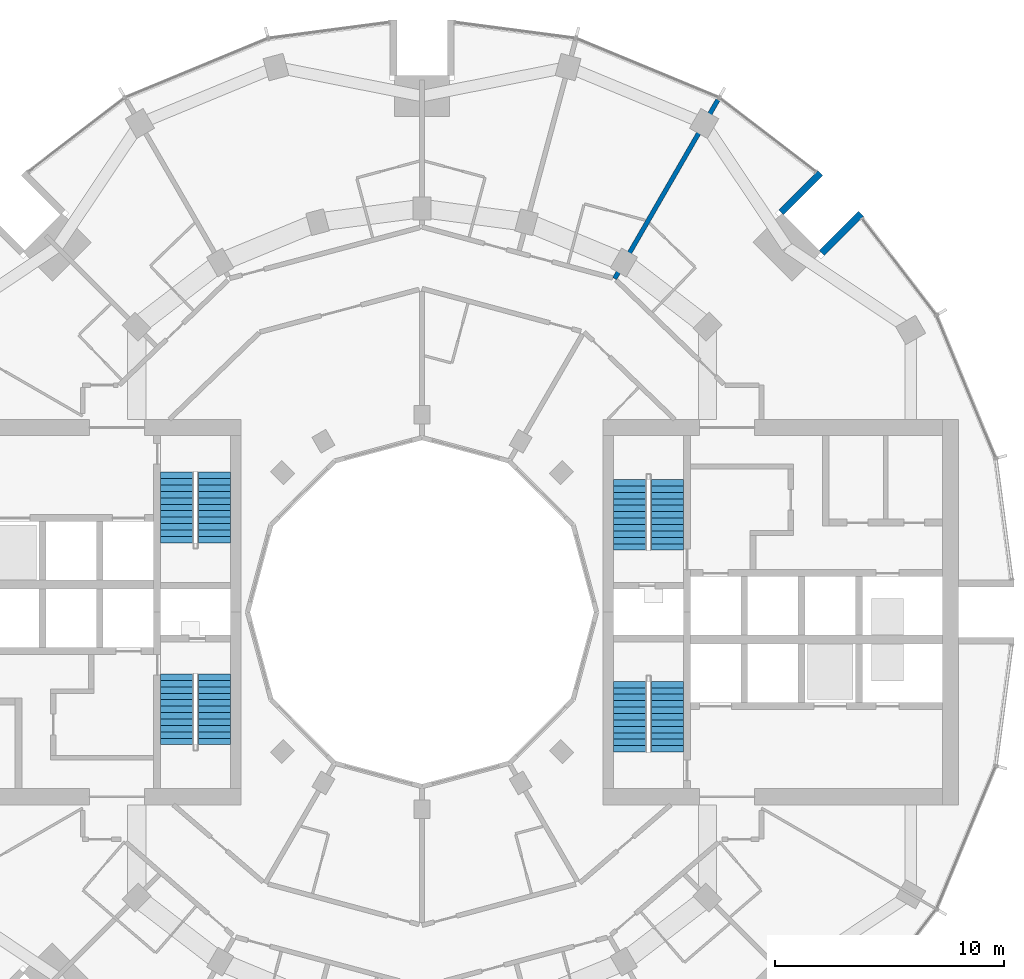
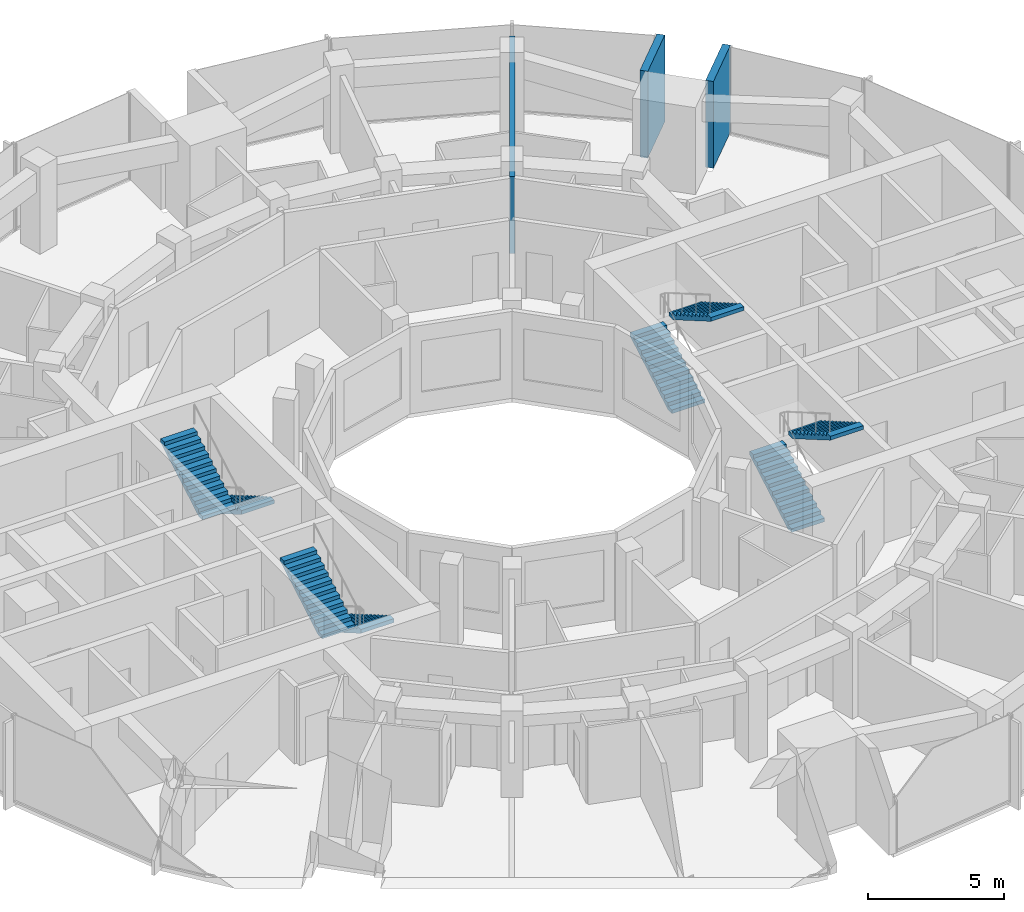
# One storey, part 13 of 15: 8 stair flights, 3 walls, 4 elements without a shape of their own.
"""IFC4 building model written with IfcOpenShell, lengths in metres."""

import ifcopenshell
import ifcopenshell.guid

model = None  # the IFC model being written
_history = None  # IfcOwnerHistory: only IFC2X3 demands one
_inside = {}  # id of a spatial element -> (the spatial element, [elements in it])
_under = {}  # id of a project, library or spatial element -> (it, [spatial elements below it])
_declared = {}  # id of a project -> (the project, [libraries it declares])
_typed = {}  # id of a type object -> (the type object, [elements of that type])
_made_of = {}  # id of a material, layer set ... -> (it, [elements and type objects made of it])


def new_model(schema):
    """Start an empty IFC model of exactly this schema.

    Asked for "IFC4X3", IfcOpenShell would pick the latest addendum, in which some entities
    have other attributes; the version numbers below select the first issue.
    IFC2X3 requires an IfcOwnerHistory on every rooted entity: one is made here for all.
    """
    global model, _history
    if schema == "IFC4X3":
        model = ifcopenshell.file(schema_version=(4, 3, 0, 0))
    else:
        model = ifcopenshell.file(schema=schema)
    _inside.clear()
    _under.clear()
    _declared.clear()
    _typed.clear()
    _made_of.clear()
    _history = None
    if model.schema == "IFC2X3":
        org = make("IfcOrganization", Name="unknown")
        user = make(
            "IfcPersonAndOrganization",
            ThePerson=make("IfcPerson", FamilyName="unknown"),
            TheOrganization=org,
        )
        app = make(
            "IfcApplication",
            ApplicationDeveloper=org,
            Version="unknown",
            ApplicationFullName="unknown",
            ApplicationIdentifier="unknown",
        )
        _history = make(
            "IfcOwnerHistory",
            OwningUser=user,
            OwningApplication=app,
            ChangeAction="ADDED",
            CreationDate=0,
        )
    return model


def make(cls, **values):
    """One entity of the class cls with the attributes given. An attribute that is None is left unset."""
    return model.create_entity(
        cls, **{name: value for name, value in values.items() if value is not None}
    )


def rooted(cls, **values):
    """An entity with a GlobalId (a new one), such as an element, a storey or a relation."""
    return make(cls, GlobalId=ifcopenshell.guid.new(), OwnerHistory=_history, **values)


def si_unit(unit_type, name, prefix=None):
    """IfcSIUnit, for example si_unit("LENGTHUNIT", "METRE", prefix="MILLI")."""
    return make("IfcSIUnit", UnitType=unit_type, Prefix=prefix, Name=name)


def assignment(units):
    """IfcUnitAssignment: the units of a project."""
    return None if units is None else make("IfcUnitAssignment", Units=units)


def point(xyz):
    """IfcCartesianPoint."""
    return None if xyz is None else make("IfcCartesianPoint", Coordinates=xyz)


def direction(xyz):
    """IfcDirection."""
    return None if xyz is None else make("IfcDirection", DirectionRatios=xyz)


def frame(location, z_axis=None, x_axis=None):
    """IfcAxis2Placement3D, a coordinate frame: its origin and axes. An axis left out is left unset."""
    return make(
        "IfcAxis2Placement3D",
        Location=point(location),
        Axis=direction(z_axis),
        RefDirection=direction(x_axis),
    )


def frame_2d(location, x_axis=None):
    """IfcAxis2Placement2D, a coordinate frame in the plane: its origin and x axis."""
    return make(
        "IfcAxis2Placement2D", Location=point(location), RefDirection=direction(x_axis)
    )


def origin():
    """The frame at (0, 0, 0) with its axes left unset."""
    return frame((0.0, 0.0, 0.0))


def place(relative_to, where):
    """IfcLocalPlacement: puts the frame where relative to a parent placement (None: the world)."""
    return make(
        "IfcLocalPlacement", PlacementRelTo=relative_to, RelativePlacement=where
    )


def context(
    kind, dimensions, precision=None, world=None, true_north=None, identifier=None
):
    """IfcGeometricRepresentationContext, for example the 3D "Model" context."""
    return make(
        "IfcGeometricRepresentationContext",
        ContextIdentifier=identifier,
        ContextType=kind,
        CoordinateSpaceDimension=dimensions,
        Precision=precision,
        WorldCoordinateSystem=world,
        TrueNorth=true_north,
    )


def subcontext(parent, identifier, kind, view, scale=None):
    """IfcGeometricRepresentationSubContext, for example "Body" below "Model"."""
    return make(
        "IfcGeometricRepresentationSubContext",
        ContextIdentifier=identifier,
        ContextType=kind,
        ParentContext=parent,
        TargetScale=scale,
        TargetView=view,
    )


def project(units=None, contexts=None):
    """IfcProject with its units and contexts."""
    return rooted(
        "IfcProject",
        Name="project",
        RepresentationContexts=contexts,
        UnitsInContext=assignment(units),
    )


def spatial(cls, under=None, at=None, **own):
    """A site, building, storey or space (cls), placed at a placement, below another one or the project."""
    s = rooted(cls, ObjectPlacement=at, **own)
    if under is not None:
        _under.setdefault(under.id(), (under, []))[1].append(s)
    return s


def polyline(points):
    """IfcPolyline through the points."""
    return make("IfcPolyline", Points=[point(p) for p in points])


def profile(cls, at=None, kind="AREA", **sizes):
    """A parametric profile (cls). Its sizes go by their IFC names, for example OverallWidth=200.0."""
    return make(cls, ProfileType=kind, Position=at, **sizes)


def rectangle(**sizes):
    """IfcRectangleProfileDef."""
    return profile("IfcRectangleProfileDef", **sizes)


def outline(outer, holes=None, kind="AREA"):
    """IfcArbitraryClosedProfileDef: a profile drawn as a closed curve; with holes, ...WithVoids."""
    if holes is None:
        return make("IfcArbitraryClosedProfileDef", ProfileType=kind, OuterCurve=outer)
    return make(
        "IfcArbitraryProfileDefWithVoids",
        ProfileType=kind,
        OuterCurve=outer,
        InnerCurves=holes,
    )


def extrude(swept, where, along, depth):
    """IfcExtrudedAreaSolid: the profile swept, set in the frame where, extruded along a direction by depth."""
    return make(
        "IfcExtrudedAreaSolid",
        SweptArea=swept,
        Position=where,
        ExtrudedDirection=direction(along),
        Depth=depth,
    )


def shape(context_of_items, identifier, shape_type, items):
    """IfcShapeRepresentation: the items that make up one representation, for example the "Body"."""
    return make(
        "IfcShapeRepresentation",
        ContextOfItems=context_of_items,
        RepresentationIdentifier=identifier,
        RepresentationType=shape_type,
        Items=items,
    )


def material(Name=None, Category=None):
    """IfcMaterial."""
    return make("IfcMaterial", Name=Name, Category=Category)


def layer(
    of_material, thickness, ventilated=None, Name=None, Category=None, Priority=None
):
    """IfcMaterialLayer: one layer of a wall or slab, of a material (None: an air gap)."""
    return make(
        "IfcMaterialLayer",
        Material=of_material,
        LayerThickness=thickness,
        IsVentilated=ventilated,
        Name=Name,
        Category=Category,
        Priority=Priority,
    )


def layer_set(layers, Name=None):
    """IfcMaterialLayerSet."""
    return make("IfcMaterialLayerSet", MaterialLayers=layers, LayerSetName=Name)


def made_of(thing, what):
    """Note that an element or type object is made of a material, layer set ...; save() writes the relation."""
    if what is not None:
        _made_of.setdefault(what.id(), (what, []))[1].append(thing)
    return thing


def type_object(cls, material=None, **own):
    """A type object (cls), such as IfcWallType, which elements share."""
    return made_of(rooted(cls, **own), material)


def element(
    cls,
    number,
    at=None,
    inside=None,
    cuts=None,
    type_object=None,
    material=None,
    context=None,
    identifier="Body",
    shape_type=None,
    held_by="IfcProductDefinitionShape",
    body=None,
    shapes=None,
    **own,
):
    """One element of the class cls, such as IfcWall. Its Tag is "e" and its number.

    at: its placement. inside: the storey or other place that contains it. cuts: it is an
    opening in that element (IfcRelVoidsElement). A single representation is given by context,
    identifier, shape_type and body (its items); several are given by shapes. held_by: the class
    of the entity that holds the representations. save() writes the other relations.
    """
    e = rooted(cls, Tag="e%d" % number, ObjectPlacement=at, **own)
    if body is not None:
        shapes = [shape(context, identifier, shape_type, body)]
    if shapes is not None:
        e.Representation = make(held_by, Representations=shapes)
    if inside is not None:
        _inside.setdefault(inside.id(), (inside, []))[1].append(e)
    if cuts is not None:
        rooted(
            "IfcRelVoidsElement", RelatingBuildingElement=cuts, RelatedOpeningElement=e
        )
    if type_object is not None:
        _typed.setdefault(type_object.id(), (type_object, []))[1].append(e)
    return made_of(e, material)


def aggregate(whole, parts):
    """IfcRelAggregates: a whole, such as a stair, and the parts it consists of."""
    return rooted("IfcRelAggregates", RelatingObject=whole, RelatedObjects=parts)


def save(model, path):
    """Write the relations noted so far, then the file.

    IfcRelAggregates (storeys below a building ...), IfcRelContainedInSpatialStructure (elements
    in a storey), IfcRelDefinesByType, IfcRelAssociatesMaterial and IfcRelDeclares: one each for
    every whole, place, type object, material and project.
    """
    for whole, parts in _under.values():
        aggregate(whole, parts)
    for where, things in _inside.values():
        rooted(
            "IfcRelContainedInSpatialStructure",
            RelatedElements=things,
            RelatingStructure=where,
        )
    for kind, things in _typed.values():
        rooted("IfcRelDefinesByType", RelatedObjects=things, RelatingType=kind)
    for what, things in _made_of.values():
        rooted("IfcRelAssociatesMaterial", RelatedObjects=things, RelatingMaterial=what)
    for by, libraries in _declared.values():
        rooted("IfcRelDeclares", RelatingContext=by, RelatedDefinitions=libraries)
    model.write(path)


model = new_model("IFC4")

# Units and contexts
model_context = context("Model", 3, precision=1e-05, world=origin(), true_north=direction((0.0, 1.0)))
body_context = subcontext(model_context, "Body", "Model", "MODEL_VIEW")
ifc_project = project(units=[si_unit("LENGTHUNIT", "METRE"), si_unit("AREAUNIT", "SQUARE_METRE"), si_unit("VOLUMEUNIT", "CUBIC_METRE"), si_unit("PLANEANGLEUNIT", "RADIAN"), si_unit("MASSUNIT", "GRAM", prefix="KILO")], contexts=[model_context])

# Site, building, storey
site_placement = place(None, origin())
site = spatial("IfcSite", under=ifc_project, at=site_placement, CompositionType="ELEMENT")
building_placement = place(site_placement, origin())
building = spatial("IfcBuilding", under=site, at=building_placement, Name="Torre Brocal", CompositionType="ELEMENT")
storey_placement = place(building_placement, frame((0.0, 0.0, 114.60009765625)))
storey = spatial("IfcBuildingStorey", under=building, at=storey_placement, Name="L26", CompositionType="ELEMENT", Elevation=114.60009765625)

# Walls
ifc_material_1 = material(Name="Concrete C70", Category="concrete")
ifc_layer_1 = layer(ifc_material_1, 0.300048828125)
ifc_layer_set_1 = layer_set([ifc_layer_1], Name="Concrete C70")
wall_type_1 = type_object("IfcWallType", Name="NOTCH RETURN WALL 300 C70", PredefinedType="NOTDEFINED", material=ifc_layer_set_1)
for number, where, z_axis, x_axis, name in (
    (1, (97.43017578125, 90.662353515625, 0.0), (0.0, 0.0, 1.0), (0.707106781187, 0.707106781187, 0.0), "NOTCH RETURN WALL"),
    (2, (95.662353515625, 92.43017578125, 0.0), (0.0, 0.0, 1.0), (0.707106781187, 0.707106781187, 0.0), "NOTCH RETURN WALL"),
):
    element("IfcWall", number, at=place(storey_placement, frame(where, z_axis=z_axis, x_axis=x_axis)), inside=storey, type_object=wall_type_1, Name=name, PredefinedType="NOTDEFINED", context=body_context, shape_type="SweptSolid", body=[
        extrude(rectangle(XDim=2.415771484375, YDim=0.300048828125, at=frame_2d((1.2080078125, 0.0))), origin(), (0.0, 0.0, 1.0), 3.89990234375),
    ])
ifc_material_2 = material(Name="Gypsum board", Category="Gypsum")
ifc_layer_2 = layer(ifc_material_2, 0.199951171875)
ifc_layer_set_2 = layer_set([ifc_layer_2], Name="Gypsum board")
wall_type_2 = type_object("IfcWallType", Name="PARTITION 200 EI60", PredefinedType="PARTITIONING", material=ifc_layer_set_2)
wall_placement = place(storey_placement, frame((88.397705078125, 89.539306640625, 0.0), z_axis=(0.0, 0.0, 1.0), x_axis=(0.500217530286, 0.865899776184, 0.0)))
element("IfcWall", 3, at=wall_placement, inside=storey, type_object=wall_type_2, Name="BATHROOM WALL", PredefinedType="PARTITIONING", context=body_context, shape_type="SweptSolid", body=[
    extrude(rectangle(XDim=9.00634765625, YDim=0.199951171875, at=frame_2d((4.503173828125, 0.0))), origin(), (0.0, 0.0, 1.0), 3.449951171875),
])

# Stair, stair flights
ifc_material_3 = material(Name="Concrete C50", Category="concrete")
stair_type = type_object("IfcStairType", Name="EXIT STAIR", PredefinedType="HALF_TURN_STAIR", material=ifc_material_3)
stair_1_placement = place(storey_placement, origin())
stair_1 = element("IfcStair", 4, at=stair_1_placement, inside=storey, type_object=stair_type, Name="EXIT STAIR ST1", PredefinedType="HALF_TURN_STAIR")
ifc_material_4 = material(Name="Concrete C50", Category="concrete")
ifc_layer_3 = layer(ifc_material_4, 0.14990234375)
ifc_layer_set_3 = layer_set([ifc_layer_3], Name="Concrete C50")
stair_flight_type = type_object("IfcStairFlightType", Name="STAIR FLIGHT", PredefinedType="STRAIGHT", material=ifc_layer_set_3)
stair_flight_1_placement = place(storey_placement, frame((89.050048828125, 77.699951171875, 0.0), z_axis=(0.0, 0.0, 1.0), x_axis=(0.0, 1.0, 0.0)))
stair_flight_1 = element("IfcStairFlight", 5, at=stair_flight_1_placement, type_object=stair_flight_type, Name="ST1 flight 1", NumberOfRisers=12, NumberOfTreads=11, PredefinedType="STRAIGHT", RiserHeight=0.1625, TreadLength=0.28, context=body_context, shape_type="SweptSolid", body=[
    extrude(outline(polyline([(0.0, 0.0), (0.0, 0.16259765625), (0.280029296875, 0.16259765625), (0.280029296875, 0.324951171875), (0.56005859375, 0.324951171875), (0.56005859375, 0.487548828125), (0.840087890625, 0.487548828125), (0.840087890625, 0.64990234375), (1.1201171875, 0.64990234375), (1.1201171875, 0.8125), (1.39990234375, 0.8125), (1.39990234375, 0.97509765625), (1.679931640625, 0.97509765625), (1.679931640625, 1.137451171875), (1.9599609375, 1.137451171875), (1.9599609375, 1.300048828125), (2.239990234375, 1.300048828125), (2.239990234375, 1.46240234375), (2.52001953125, 1.46240234375), (2.52001953125, 1.625), (2.800048828125, 1.625), (2.800048828125, 1.78759765625), (3.080078125, 1.78759765625), (3.080078125, 1.949951171875), (3.080078125, 1.6142578125), (0.298583984375, 0.0), (0.0, 0.0)])), frame((0.0, 0.699951171875, 0.0), z_axis=(0.0, -1.0, 0.0), x_axis=(1.0, 0.0, 0.0)), (0.0, 0.0, 1.0), 1.39990234375),
])
stair_flight_2_placement = place(storey_placement, frame((90.699951171875, 80.780029296875, 1.949951171875), z_axis=(0.0, 0.0, 1.0), x_axis=(0.0, -1.0, 0.0)))
stair_flight_2 = element("IfcStairFlight", 6, at=stair_flight_2_placement, type_object=stair_flight_type, Name="ST1 flight 2", NumberOfRisers=12, NumberOfTreads=11, PredefinedType="STRAIGHT", RiserHeight=0.1625, TreadLength=0.28, context=body_context, shape_type="SweptSolid", body=[
    extrude(outline(polyline([(0.0, 0.0), (0.0, 0.16259765625), (0.280029296875, 0.16259765625), (0.280029296875, 0.324951171875), (0.56005859375, 0.324951171875), (0.56005859375, 0.487548828125), (0.840087890625, 0.487548828125), (0.840087890625, 0.64990234375), (1.1201171875, 0.64990234375), (1.1201171875, 0.8125), (1.39990234375, 0.8125), (1.39990234375, 0.97509765625), (1.679931640625, 0.97509765625), (1.679931640625, 1.137451171875), (1.9599609375, 1.137451171875), (1.9599609375, 1.300048828125), (2.239990234375, 1.300048828125), (2.239990234375, 1.46240234375), (2.52001953125, 1.46240234375), (2.52001953125, 1.625), (2.800048828125, 1.625), (2.800048828125, 1.78759765625), (3.080078125, 1.78759765625), (3.080078125, 1.949951171875), (3.080078125, 1.6142578125), (0.298583984375, 0.0), (0.0, 0.0)])), frame((0.0, 0.699951171875, 0.0), z_axis=(0.0, -1.0, 0.0), x_axis=(1.0, 0.0, 0.0)), (0.0, 0.0, 1.0), 1.39990234375),
])
aggregate(stair_1, [stair_flight_1, stair_flight_2])

stair_2_placement = place(storey_placement, origin())
stair_2 = element("IfcStair", 7, at=stair_2_placement, inside=storey, type_object=stair_type, Name="EXIT STAIR ST2", PredefinedType="HALF_TURN_STAIR")
stair_flight_3_placement = place(storey_placement, frame((89.050048828125, 68.89990234375, 0.0), z_axis=(0.0, 0.0, 1.0), x_axis=(0.0, 1.0, 0.0)))
stair_flight_3 = element("IfcStairFlight", 8, at=stair_flight_3_placement, type_object=stair_flight_type, Name="ST2 flight 1", NumberOfRisers=12, NumberOfTreads=11, PredefinedType="STRAIGHT", RiserHeight=0.1625, TreadLength=0.28, context=body_context, shape_type="SweptSolid", body=[
    extrude(outline(polyline([(0.0, 0.0), (0.0, 0.16259765625), (0.280029296875, 0.16259765625), (0.280029296875, 0.324951171875), (0.56005859375, 0.324951171875), (0.56005859375, 0.487548828125), (0.840087890625, 0.487548828125), (0.840087890625, 0.64990234375), (1.1201171875, 0.64990234375), (1.1201171875, 0.8125), (1.39990234375, 0.8125), (1.39990234375, 0.97509765625), (1.679931640625, 0.97509765625), (1.679931640625, 1.137451171875), (1.9599609375, 1.137451171875), (1.9599609375, 1.300048828125), (2.239990234375, 1.300048828125), (2.239990234375, 1.46240234375), (2.52001953125, 1.46240234375), (2.52001953125, 1.625), (2.800048828125, 1.625), (2.800048828125, 1.78759765625), (3.080078125, 1.78759765625), (3.080078125, 1.949951171875), (3.080078125, 1.6142578125), (0.298583984375, 0.0), (0.0, 0.0)])), frame((0.0, 0.699951171875, 0.0), z_axis=(0.0, -1.0, 0.0), x_axis=(1.0, 0.0, 0.0)), (0.0, 0.0, 1.0), 1.39990234375),
])
stair_flight_4_placement = place(storey_placement, frame((90.699951171875, 71.97998046875, 1.949951171875), z_axis=(0.0, 0.0, 1.0), x_axis=(0.0, -1.0, 0.0)))
stair_flight_4 = element("IfcStairFlight", 9, at=stair_flight_4_placement, type_object=stair_flight_type, Name="ST2 flight 2", NumberOfRisers=12, NumberOfTreads=11, PredefinedType="STRAIGHT", RiserHeight=0.1625, TreadLength=0.28, context=body_context, shape_type="SweptSolid", body=[
    extrude(outline(polyline([(0.0, 0.0), (0.0, 0.16259765625), (0.280029296875, 0.16259765625), (0.280029296875, 0.324951171875), (0.56005859375, 0.324951171875), (0.56005859375, 0.487548828125), (0.840087890625, 0.487548828125), (0.840087890625, 0.64990234375), (1.1201171875, 0.64990234375), (1.1201171875, 0.8125), (1.39990234375, 0.8125), (1.39990234375, 0.97509765625), (1.679931640625, 0.97509765625), (1.679931640625, 1.137451171875), (1.9599609375, 1.137451171875), (1.9599609375, 1.300048828125), (2.239990234375, 1.300048828125), (2.239990234375, 1.46240234375), (2.52001953125, 1.46240234375), (2.52001953125, 1.625), (2.800048828125, 1.625), (2.800048828125, 1.78759765625), (3.080078125, 1.78759765625), (3.080078125, 1.949951171875), (3.080078125, 1.6142578125), (0.298583984375, 0.0), (0.0, 0.0)])), frame((0.0, 0.699951171875, 0.0), z_axis=(0.0, -1.0, 0.0), x_axis=(1.0, 0.0, 0.0)), (0.0, 0.0, 1.0), 1.39990234375),
])
aggregate(stair_2, [stair_flight_3, stair_flight_4])

stair_3_placement = place(storey_placement, origin())
stair_3 = element("IfcStair", 10, at=stair_3_placement, inside=storey, type_object=stair_type, Name="EXIT STAIR ST3", PredefinedType="HALF_TURN_STAIR")
stair_flight_5_placement = place(storey_placement, frame((70.949951171875, 72.300048828125, 0.0), z_axis=(0.0, 0.0, 1.0), x_axis=(0.0, -1.0, 0.0)))
stair_flight_5 = element("IfcStairFlight", 11, at=stair_flight_5_placement, type_object=stair_flight_type, Name="ST3 flight 1", NumberOfRisers=12, NumberOfTreads=11, PredefinedType="STRAIGHT", RiserHeight=0.1625, TreadLength=0.28, context=body_context, shape_type="SweptSolid", body=[
    extrude(outline(polyline([(0.0, 0.0), (0.0, 0.16259765625), (0.280029296875, 0.16259765625), (0.280029296875, 0.324951171875), (0.56005859375, 0.324951171875), (0.56005859375, 0.487548828125), (0.840087890625, 0.487548828125), (0.840087890625, 0.64990234375), (1.1201171875, 0.64990234375), (1.1201171875, 0.8125), (1.39990234375, 0.8125), (1.39990234375, 0.97509765625), (1.679931640625, 0.97509765625), (1.679931640625, 1.137451171875), (1.9599609375, 1.137451171875), (1.9599609375, 1.300048828125), (2.239990234375, 1.300048828125), (2.239990234375, 1.46240234375), (2.52001953125, 1.46240234375), (2.52001953125, 1.625), (2.800048828125, 1.625), (2.800048828125, 1.78759765625), (3.080078125, 1.78759765625), (3.080078125, 1.949951171875), (3.080078125, 1.6142578125), (0.298583984375, 0.0), (0.0, 0.0)])), frame((0.0, 0.699951171875, 0.0), z_axis=(0.0, -1.0, 0.0), x_axis=(1.0, 0.0, 0.0)), (0.0, 0.0, 1.0), 1.39990234375),
])
stair_flight_6_placement = place(storey_placement, frame((69.300048828125, 69.219970703125, 1.949951171875), z_axis=(0.0, 0.0, 1.0), x_axis=(0.0, 1.0, 0.0)))
stair_flight_6 = element("IfcStairFlight", 12, at=stair_flight_6_placement, type_object=stair_flight_type, Name="ST3 flight 2", NumberOfRisers=12, NumberOfTreads=11, PredefinedType="STRAIGHT", RiserHeight=0.1625, TreadLength=0.28, context=body_context, shape_type="SweptSolid", body=[
    extrude(outline(polyline([(0.0, 0.0), (0.0, 0.16259765625), (0.280029296875, 0.16259765625), (0.280029296875, 0.324951171875), (0.56005859375, 0.324951171875), (0.56005859375, 0.487548828125), (0.840087890625, 0.487548828125), (0.840087890625, 0.64990234375), (1.1201171875, 0.64990234375), (1.1201171875, 0.8125), (1.39990234375, 0.8125), (1.39990234375, 0.97509765625), (1.679931640625, 0.97509765625), (1.679931640625, 1.137451171875), (1.9599609375, 1.137451171875), (1.9599609375, 1.300048828125), (2.239990234375, 1.300048828125), (2.239990234375, 1.46240234375), (2.52001953125, 1.46240234375), (2.52001953125, 1.625), (2.800048828125, 1.625), (2.800048828125, 1.78759765625), (3.080078125, 1.78759765625), (3.080078125, 1.949951171875), (3.080078125, 1.6142578125), (0.298583984375, 0.0), (0.0, 0.0)])), frame((0.0, 0.699951171875, 0.0), z_axis=(0.0, -1.0, 0.0), x_axis=(1.0, 0.0, 0.0)), (0.0, 0.0, 1.0), 1.39990234375),
])
aggregate(stair_3, [stair_flight_5, stair_flight_6])

stair_4_placement = place(storey_placement, origin())
stair_4 = element("IfcStair", 13, at=stair_4_placement, inside=storey, type_object=stair_type, Name="EXIT STAIR ST4", PredefinedType="HALF_TURN_STAIR")
stair_flight_7_placement = place(storey_placement, frame((70.949951171875, 81.10009765625, 0.0), z_axis=(0.0, 0.0, 1.0), x_axis=(0.0, -1.0, 0.0)))
stair_flight_7 = element("IfcStairFlight", 14, at=stair_flight_7_placement, type_object=stair_flight_type, Name="ST4 flight 1", NumberOfRisers=12, NumberOfTreads=11, PredefinedType="STRAIGHT", RiserHeight=0.1625, TreadLength=0.28, context=body_context, shape_type="SweptSolid", body=[
    extrude(outline(polyline([(0.0, 0.0), (0.0, 0.16259765625), (0.280029296875, 0.16259765625), (0.280029296875, 0.324951171875), (0.56005859375, 0.324951171875), (0.56005859375, 0.487548828125), (0.840087890625, 0.487548828125), (0.840087890625, 0.64990234375), (1.1201171875, 0.64990234375), (1.1201171875, 0.8125), (1.39990234375, 0.8125), (1.39990234375, 0.97509765625), (1.679931640625, 0.97509765625), (1.679931640625, 1.137451171875), (1.9599609375, 1.137451171875), (1.9599609375, 1.300048828125), (2.239990234375, 1.300048828125), (2.239990234375, 1.46240234375), (2.52001953125, 1.46240234375), (2.52001953125, 1.625), (2.800048828125, 1.625), (2.800048828125, 1.78759765625), (3.080078125, 1.78759765625), (3.080078125, 1.949951171875), (3.080078125, 1.6142578125), (0.298583984375, 0.0), (0.0, 0.0)])), frame((0.0, 0.699951171875, 0.0), z_axis=(0.0, -1.0, 0.0), x_axis=(1.0, 0.0, 0.0)), (0.0, 0.0, 1.0), 1.39990234375),
])
stair_flight_8_placement = place(storey_placement, frame((69.300048828125, 78.02001953125, 1.949951171875), z_axis=(0.0, 0.0, 1.0), x_axis=(0.0, 1.0, 0.0)))
stair_flight_8 = element("IfcStairFlight", 15, at=stair_flight_8_placement, type_object=stair_flight_type, Name="ST4 flight 2", NumberOfRisers=12, NumberOfTreads=11, PredefinedType="STRAIGHT", RiserHeight=0.1625, TreadLength=0.28, context=body_context, shape_type="SweptSolid", body=[
    extrude(outline(polyline([(0.0, 0.0), (0.0, 0.16259765625), (0.280029296875, 0.16259765625), (0.280029296875, 0.324951171875), (0.56005859375, 0.324951171875), (0.56005859375, 0.487548828125), (0.840087890625, 0.487548828125), (0.840087890625, 0.64990234375), (1.1201171875, 0.64990234375), (1.1201171875, 0.8125), (1.39990234375, 0.8125), (1.39990234375, 0.97509765625), (1.679931640625, 0.97509765625), (1.679931640625, 1.137451171875), (1.9599609375, 1.137451171875), (1.9599609375, 1.300048828125), (2.239990234375, 1.300048828125), (2.239990234375, 1.46240234375), (2.52001953125, 1.46240234375), (2.52001953125, 1.625), (2.800048828125, 1.625), (2.800048828125, 1.78759765625), (3.080078125, 1.78759765625), (3.080078125, 1.949951171875), (3.080078125, 1.6142578125), (0.298583984375, 0.0), (0.0, 0.0)])), frame((0.0, 0.699951171875, 0.0), z_axis=(0.0, -1.0, 0.0), x_axis=(1.0, 0.0, 0.0)), (0.0, 0.0, 1.0), 1.39990234375),
])
aggregate(stair_4, [stair_flight_7, stair_flight_8])

save(model, "model.ifc")
